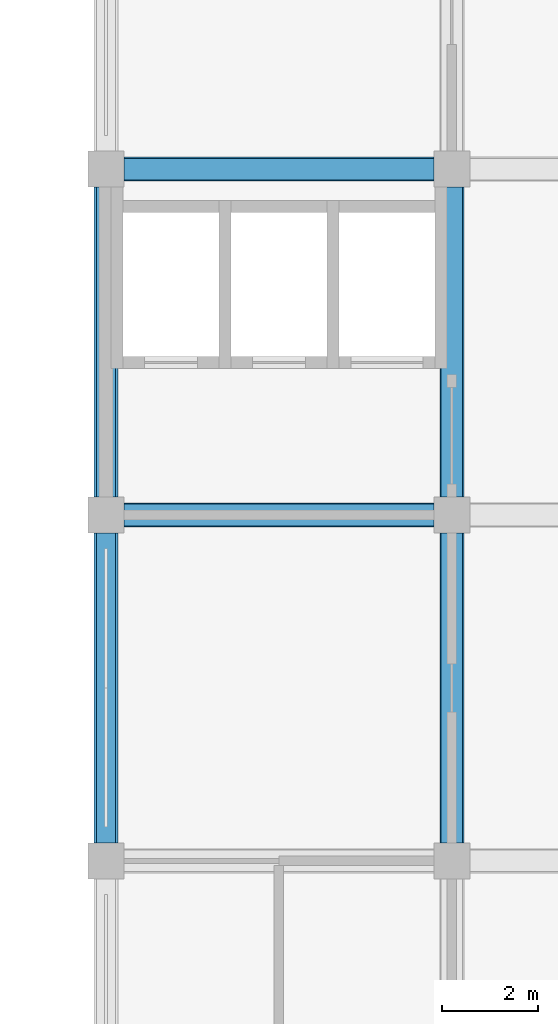
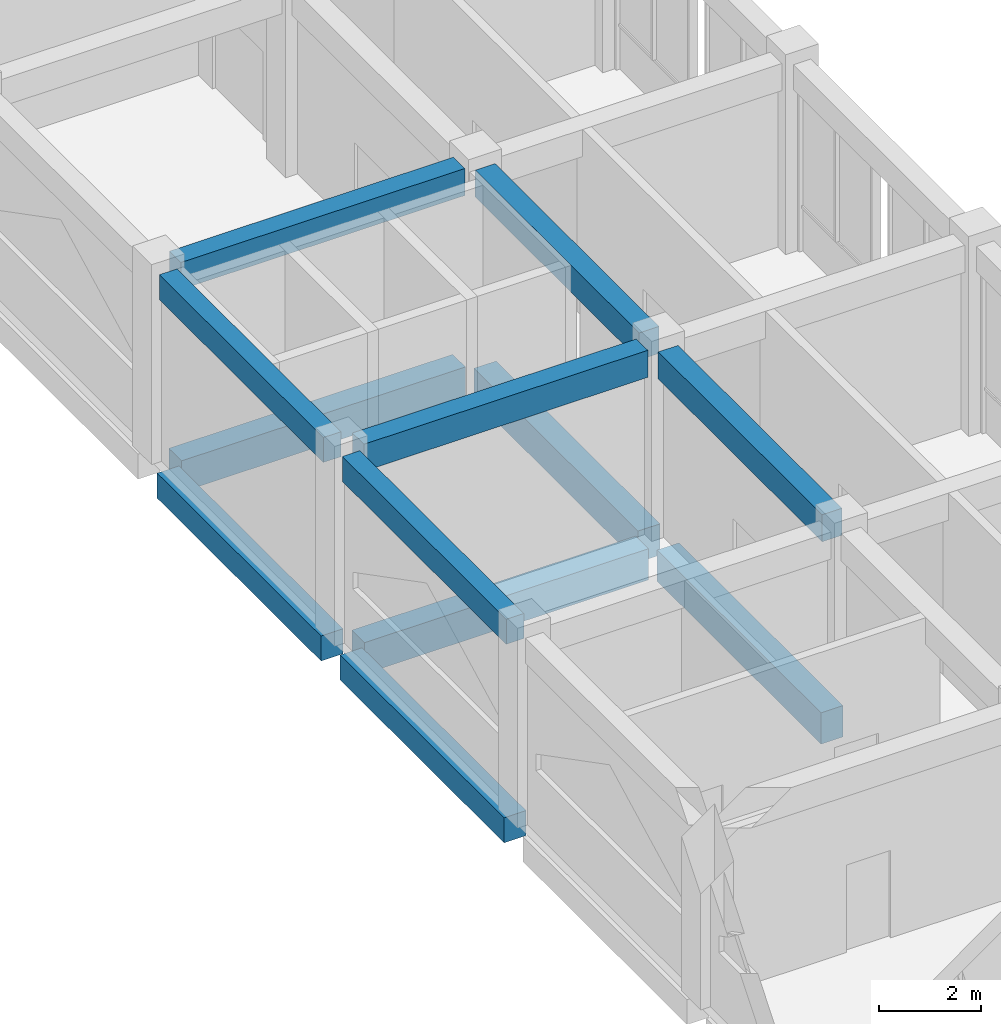
# One storey, part 17 of 39: 12 beams.
"""IFC4 building model written with IfcOpenShell, lengths in metres."""

from ifc_helpers import new_model, si_unit, direction, frame, origin, origin_2d, place, context, subcontext, project, spatial, rectangle, extrude, material, material_profile, profile_set, type_object, element, save


model = new_model("IFC4")

# Units and contexts
model_context = context("Model", 3, precision=1e-05, world=origin(), true_north=direction((0.0, 1.0)))
body_context = subcontext(model_context, "Body", "Model", "MODEL_VIEW")
ifc_project = project(units=[si_unit("LENGTHUNIT", "METRE"), si_unit("AREAUNIT", "SQUARE_METRE"), si_unit("VOLUMEUNIT", "CUBIC_METRE"), si_unit("PLANEANGLEUNIT", "RADIAN"), si_unit("MASSUNIT", "GRAM", prefix="KILO")], contexts=[model_context])

# Site, building, storey
site_placement = place(None, origin())
site = spatial("IfcSite", under=ifc_project, at=site_placement, CompositionType="ELEMENT")
building_placement = place(site_placement, origin())
building = spatial("IfcBuilding", under=site, at=building_placement, Name="Silangan Lancet Faculty of Sciences", CompositionType="ELEMENT")
storey_placement = place(building_placement, frame((0.0, 0.0, 26.39990234375)))
storey = spatial("IfcBuildingStorey", under=building, at=storey_placement, Name="L05", CompositionType="ELEMENT", Elevation=26.39990234375)

# Beams
ifc_material_1 = material(Name="Concrete C40/50", Category="concrete")
ifc_material_profile_1 = material_profile(ifc_material_1, rectangle(XDim=0.39990234375, YDim=0.60009765625, at=origin_2d()), Name="RC 400x600")
ifc_profile_set_1 = profile_set([ifc_material_profile_1], Name="Concrete C40/50")
beam_type_1 = type_object("IfcBeamType", Name="BEAM RC 400x600", PredefinedType="BEAM", material=ifc_profile_set_1)
beam_1_placement = place(storey_placement, frame((72.0, 14.77490234375, 4.2001953125), z_axis=(0.0, 1.0, 0.0), x_axis=(-1.0, 0.0, 0.0)))
element("IfcBeam", 1, at=beam_1_placement, inside=storey, type_object=beam_type_1, Name="RB-L05-11C-11D", PredefinedType="BEAM", context=body_context, shape_type="SweptSolid", body=[
    extrude(rectangle(XDim=0.39990234375, YDim=0.60009765625, at=origin_2d()), origin(), (0.0, 0.0, 1.0), 6.4501953125),
])
beam_2_placement = place(storey_placement, frame((72.0, 21.97509765625, 4.2001953125), z_axis=(0.0, 1.0, 0.0), x_axis=(-1.0, 0.0, 0.0)))
element("IfcBeam", 2, at=beam_2_placement, inside=storey, type_object=beam_type_1, Name="RB-L05-11D-11E", PredefinedType="BEAM", context=body_context, shape_type="SweptSolid", body=[
    extrude(rectangle(XDim=0.39990234375, YDim=0.60009765625, at=origin_2d()), origin(), (0.0, 0.0, 1.0), 6.449951171875),
])
ifc_material_2 = material(Name="Concrete C40/50", Category="concrete")
ifc_material_profile_2 = material_profile(ifc_material_2, rectangle(XDim=0.449951171875, YDim=0.64990234375, at=origin_2d()), Name="RC 450x650")
ifc_profile_set_2 = profile_set([ifc_material_profile_2], Name="Concrete C40/50")
beam_type_2 = type_object("IfcBeamType", Name="BEAM RC 450x650", PredefinedType="BEAM", material=ifc_profile_set_2)
for number, where, z_axis, x_axis, name in (
    (3, (72.375, 21.60009765625, 4.175048828125), (1.0, 0.0, 0.0), (0.0, 1.0, 0.0), "RB-L05-11D-12D"),
    (4, (72.375, 28.800048828125, 4.175048828125), (1.0, 0.0, 0.0), (0.0, 1.0, 0.0), "RB-L05-11E-12E"),
):
    element("IfcBeam", number, at=place(storey_placement, frame(where, z_axis=z_axis, x_axis=x_axis)), inside=storey, type_object=beam_type_2, Name=name, PredefinedType="BEAM", context=body_context, shape_type="SweptSolid", body=[
        extrude(rectangle(XDim=0.449951171875, YDim=0.64990234375, at=origin_2d()), origin(), (0.0, 0.0, 1.0), 6.449951171875),
    ])
beam_3_placement = place(storey_placement, frame((79.199951171875, 14.77490234375, 4.175048828125), z_axis=(0.0, 1.0, 0.0), x_axis=(-1.0, 0.0, 0.0)))
element("IfcBeam", 5, at=beam_3_placement, inside=storey, type_object=beam_type_2, Name="RB-L05-12C-12D", PredefinedType="BEAM", context=body_context, shape_type="SweptSolid", body=[
    extrude(rectangle(XDim=0.449951171875, YDim=0.64990234375, at=origin_2d()), origin(), (0.0, 0.0, 1.0), 6.4501953125),
])
beam_4_placement = place(storey_placement, frame((79.199951171875, 21.97509765625, 4.175048828125), z_axis=(0.0, 1.0, 0.0), x_axis=(-1.0, 0.0, 0.0)))
element("IfcBeam", 6, at=beam_4_placement, inside=storey, type_object=beam_type_2, Name="RB-L05-12D-12E", PredefinedType="BEAM", context=body_context, shape_type="SweptSolid", body=[
    extrude(rectangle(XDim=0.449951171875, YDim=0.64990234375, at=origin_2d()), origin(), (0.0, 0.0, 1.0), 6.449951171875),
])
ifc_material_3 = material(Name="Concrete C40/50", Category="concrete")
ifc_material_profile_3 = material_profile(ifc_material_3, rectangle(XDim=0.5, YDim=0.60009765625, at=origin_2d()), Name="RC 500x600")
ifc_profile_set_3 = profile_set([ifc_material_profile_3], Name="Concrete C40/50")
beam_type_3 = type_object("IfcBeamType", Name="BEAM RC 500x600", PredefinedType="BEAM", material=ifc_profile_set_3)
beam_5_placement = place(storey_placement, frame((72.0, 14.77490234375, -0.5498046875), z_axis=(0.0, 1.0, 0.0), x_axis=(-1.0, 0.0, 0.0)))
element("IfcBeam", 7, at=beam_5_placement, inside=storey, type_object=beam_type_3, Name="BM-L05-11C-11D", PredefinedType="BEAM", context=body_context, shape_type="SweptSolid", body=[
    extrude(rectangle(XDim=0.5, YDim=0.60009765625, at=origin_2d()), origin(), (0.0, 0.0, 1.0), 6.4501953125),
])
beam_6_placement = place(storey_placement, frame((72.0, 21.97509765625, -0.5498046875), z_axis=(0.0, 1.0, 0.0), x_axis=(-1.0, 0.0, 0.0)))
element("IfcBeam", 8, at=beam_6_placement, inside=storey, type_object=beam_type_3, Name="BM-L05-11D-11E", PredefinedType="BEAM", context=body_context, shape_type="SweptSolid", body=[
    extrude(rectangle(XDim=0.5, YDim=0.60009765625, at=origin_2d()), origin(), (0.0, 0.0, 1.0), 6.449951171875),
])
ifc_material_4 = material(Name="Concrete C40/50", Category="concrete")
ifc_material_profile_4 = material_profile(ifc_material_4, rectangle(XDim=0.5, YDim=0.75, at=origin_2d()), Name="RC 500x750")
ifc_profile_set_4 = profile_set([ifc_material_profile_4], Name="Concrete C40/50")
beam_type_4 = type_object("IfcBeamType", Name="BEAM RC 500x750", PredefinedType="BEAM", material=ifc_profile_set_4)
for number, where, z_axis, x_axis, name in (
    (9, (72.375, 21.60009765625, -0.625), (1.0, 0.0, 0.0), (0.0, 1.0, 0.0), "BM-L05-11D-12D"),
    (10, (72.375, 28.800048828125, -0.625), (1.0, 0.0, 0.0), (0.0, 1.0, 0.0), "BM-L05-11E-12E"),
):
    element("IfcBeam", number, at=place(storey_placement, frame(where, z_axis=z_axis, x_axis=x_axis)), inside=storey, type_object=beam_type_4, Name=name, PredefinedType="BEAM", context=body_context, shape_type="SweptSolid", body=[
        extrude(rectangle(XDim=0.5, YDim=0.75, at=origin_2d()), origin(), (0.0, 0.0, 1.0), 6.449951171875),
    ])
beam_7_placement = place(storey_placement, frame((79.199951171875, 14.77490234375, -0.625), z_axis=(0.0, 1.0, 0.0), x_axis=(-1.0, 0.0, 0.0)))
element("IfcBeam", 11, at=beam_7_placement, inside=storey, type_object=beam_type_4, Name="BM-L05-12C-12D", PredefinedType="BEAM", context=body_context, shape_type="SweptSolid", body=[
    extrude(rectangle(XDim=0.5, YDim=0.75, at=origin_2d()), origin(), (0.0, 0.0, 1.0), 6.4501953125),
])
beam_8_placement = place(storey_placement, frame((79.199951171875, 21.97509765625, -0.625), z_axis=(0.0, 1.0, 0.0), x_axis=(-1.0, 0.0, 0.0)))
element("IfcBeam", 12, at=beam_8_placement, inside=storey, type_object=beam_type_4, Name="BM-L05-12D-12E", PredefinedType="BEAM", context=body_context, shape_type="SweptSolid", body=[
    extrude(rectangle(XDim=0.5, YDim=0.75, at=origin_2d()), origin(), (0.0, 0.0, 1.0), 6.449951171875),
])

save(model, "model.ifc")
